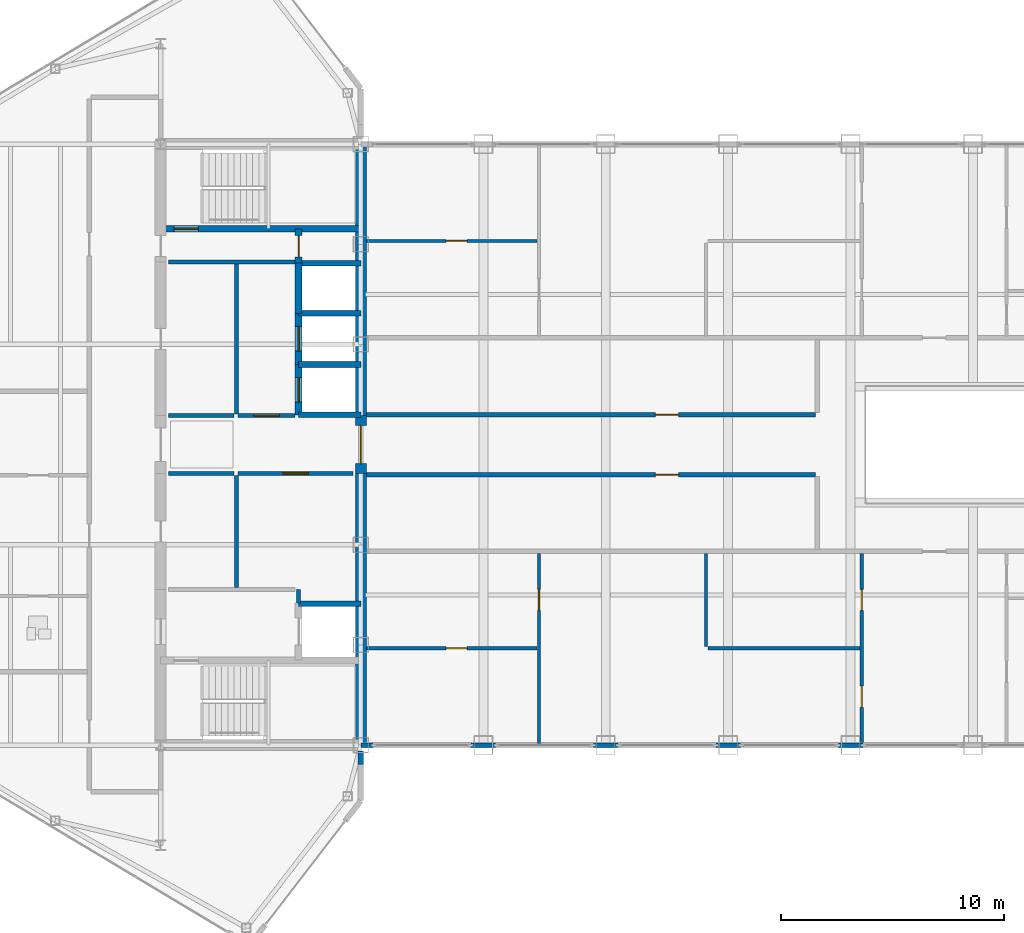
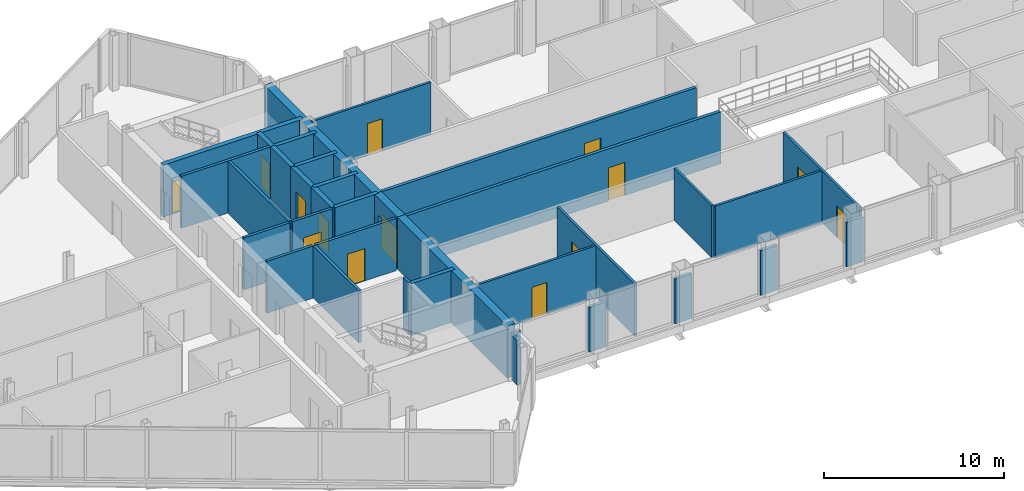
# One storey, part 22 of 29: 35 walls, 14 doors, 14 openings.
"""IFC4 building model written with IfcOpenShell, lengths in metres."""

from ifc_helpers import new_model, si_unit, direction, frame, frame_2d, origin, place, context, subcontext, project, spatial, rectangle, extrude, source, transform, mapped, material, layer, layer_set, type_object, type_shapes, element, fill, save


model = new_model("IFC4")

# Units and contexts
model_context = context("Model", 3, precision=1e-05, world=origin(), true_north=direction((0.0, 1.0)))
body_context = subcontext(model_context, "Body", "Model", "MODEL_VIEW")
ifc_project = project(units=[si_unit("LENGTHUNIT", "METRE"), si_unit("AREAUNIT", "SQUARE_METRE"), si_unit("VOLUMEUNIT", "CUBIC_METRE"), si_unit("PLANEANGLEUNIT", "RADIAN"), si_unit("MASSUNIT", "GRAM", prefix="KILO")], contexts=[model_context])

# Site, building, storey
site_placement = place(None, origin())
site = spatial("IfcSite", under=ifc_project, at=site_placement, CompositionType="ELEMENT")
building_placement = place(site_placement, origin())
building = spatial("IfcBuilding", under=site, at=building_placement, Name="Seokmaru Belvedere", CompositionType="ELEMENT")
storey_placement = place(building_placement, frame((0.0, 0.0, 250.64990234375)))
storey = spatial("IfcBuildingStorey", under=building, at=storey_placement, Name="L66", CompositionType="ELEMENT", Elevation=250.64990234375)

# Wall, opening, door
ifc_material_1 = material(Name="Fire-Rated Gypsum Shaftwall")
ifc_layer_1 = layer(ifc_material_1, 0.14990234375)
ifc_layer_set_1 = layer_set([ifc_layer_1], Name="Fire-Rated Gypsum Shaftwall")
wall_type_1 = type_object("IfcWallType", Name="Apartment Fire-Acoustic Room Partition 150", PredefinedType="PARTITIONING", material=ifc_layer_set_1)
wall_1_placement = place(storey_placement, frame((-27.2451171875, -9.14990234375, 0.0), z_axis=(0.0, 0.0, 1.0), x_axis=(1.0, 0.0, 0.0)))
wall_1 = element("IfcWall", 1, at=wall_1_placement, inside=storey, type_object=wall_type_1, Name="L66 Interior Partition 004", PredefinedType="PARTITIONING", context=body_context, shape_type="SweptSolid", body=[
    extrude(rectangle(XDim=7.66015625, YDim=0.14990234375, at=frame_2d((3.830078125, 0.0))), origin(), (0.0, 0.0, 1.0), 3.530029296875),
])
opening_1_placement = place(wall_1_placement, frame((3.570068359375, 0.0, 0.0)))
opening_1 = element("IfcOpeningElement", 2, at=opening_1_placement, cuts=wall_1, Name="Opening D05", PredefinedType="OPENING", context=body_context, shape_type="SweptSolid", body=[
    extrude(rectangle(XDim=0.949951171875, YDim=2.14990234375, at=frame_2d((0.47509765625, 1.074951171875))), frame((0.0, 0.0849609375, 0.0), z_axis=(0.0, -1.0, 0.0), x_axis=(1.0, 0.0, 0.0)), (0.0, 0.0, 1.0), 0.169921875),
])
ifc_material_2 = material(Name="Engineered White Oak Timber", Category="wood")
door_type_1 = type_object("IfcDoorType", Name="Apartment Interior Fire-Rated Oak Door 950x2150", OperationType="NOTDEFINED", PredefinedType="DOOR", material=ifc_material_2)
shared_shape_1 = source(origin(), body_context, "Body", "SweptSolid", [
    extrude(rectangle(XDim=0.949951171875, YDim=2.14990234375, at=frame_2d((0.47509765625, 1.074951171875))), frame((0.0, 0.02490234375, 0.0), z_axis=(0.0, -1.0, 0.0), x_axis=(1.0, 0.0, 0.0)), (0.0, 0.0, 1.0), 0.050048828125),
])
type_shapes(door_type_1, [shared_shape_1])
door_1_placement = place(opening_1_placement, origin())
door_1 = element("IfcDoor", 3, at=door_1_placement, inside=storey, type_object=door_type_1, Name="L66 Interior Door 036", OperationType="SINGLE_SWING_RIGHT", OverallHeight=2.14990234375, OverallWidth=0.949951171875, PredefinedType="DOOR", context=body_context, shape_type="MappedRepresentation", body=[
    mapped(shared_shape_1, transform((0.0, 0.0, 0.0), scale=1.0)),
])
fill(opening_1, door_1)

# Wall
wall_2_placement = place(storey_placement, frame((-11.9150390625, -9.14990234375, 0.0), z_axis=(0.0, 0.0, 1.0), x_axis=(1.0, 0.0, 0.0)))
element("IfcWall", 4, at=wall_2_placement, inside=storey, type_object=wall_type_1, Name="L66 Interior Partition 005", PredefinedType="PARTITIONING", context=body_context, shape_type="SweptSolid", body=[
    extrude(rectangle(XDim=6.830078125, YDim=0.14990234375, at=frame_2d((3.4150390625, 0.0))), origin(), (0.0, 0.0, 1.0), 3.530029296875),
])

# Wall, opening, door
wall_3_placement = place(storey_placement, frame((-27.2451171875, 9.14990234375, 0.0), z_axis=(0.0, 0.0, 1.0), x_axis=(1.0, 0.0, 0.0)))
wall_3 = element("IfcWall", 5, at=wall_3_placement, inside=storey, type_object=wall_type_1, Name="L66 Interior Partition 026", PredefinedType="PARTITIONING", context=body_context, shape_type="SweptSolid", body=[
    extrude(rectangle(XDim=7.66015625, YDim=0.14990234375, at=frame_2d((3.830078125, 0.0))), origin(), (0.0, 0.0, 1.0), 3.530029296875),
])
opening_2_placement = place(wall_3_placement, frame((3.570068359375, 0.0, 0.0)))
opening_2 = element("IfcOpeningElement", 6, at=opening_2_placement, cuts=wall_3, Name="Opening D05", PredefinedType="OPENING", context=body_context, shape_type="SweptSolid", body=[
    extrude(rectangle(XDim=0.949951171875, YDim=2.14990234375, at=frame_2d((0.47509765625, 1.074951171875))), frame((0.0, 0.0849609375, 0.0), z_axis=(0.0, -1.0, 0.0), x_axis=(1.0, 0.0, 0.0)), (0.0, 0.0, 1.0), 0.169921875),
])
door_2_placement = place(opening_2_placement, origin())
door_2 = element("IfcDoor", 7, at=door_2_placement, inside=storey, type_object=door_type_1, Name="L66 Interior Door 047", OperationType="SINGLE_SWING_RIGHT", OverallHeight=2.14990234375, OverallWidth=0.949951171875, PredefinedType="DOOR", context=body_context, shape_type="MappedRepresentation", body=[
    mapped(shared_shape_1, transform((0.0, 0.0, 0.0), scale=1.0)),
])
fill(opening_2, door_2)

wall_4_placement = place(storey_placement, frame((-19.5, -13.5, 0.0), z_axis=(0.0, 0.0, 1.0), x_axis=(0.0, 1.0, 0.0)))
wall_4 = element("IfcWall", 8, at=wall_4_placement, inside=storey, type_object=wall_type_1, Name="L66 Interior Partition 038", PredefinedType="PARTITIONING", context=body_context, shape_type="SweptSolid", body=[
    extrude(rectangle(XDim=8.614990234375, YDim=0.14990234375, at=frame_2d((4.3076171875, 0.0))), origin(), (0.0, 0.0, 1.0), 3.530029296875),
])
opening_3_placement = place(wall_4_placement, frame((6.050048828125, 0.0, 0.0)))
opening_3 = element("IfcOpeningElement", 9, at=opening_3_placement, cuts=wall_4, Name="Opening D05", PredefinedType="OPENING", context=body_context, shape_type="SweptSolid", body=[
    extrude(rectangle(XDim=0.949951171875, YDim=2.14990234375, at=frame_2d((0.47509765625, 1.074951171875))), frame((0.0, 0.0849609375, 0.0), z_axis=(0.0, -1.0, 0.0), x_axis=(1.0, 0.0, 0.0)), (0.0, 0.0, 1.0), 0.169921875),
])
door_3_placement = place(opening_3_placement, origin())
door_3 = element("IfcDoor", 10, at=door_3_placement, inside=storey, type_object=door_type_1, Name="L66 Interior Door 035", OperationType="SINGLE_SWING_LEFT", OverallHeight=2.14990234375, OverallWidth=0.949951171875, PredefinedType="DOOR", context=body_context, shape_type="MappedRepresentation", body=[
    mapped(shared_shape_1, transform((0.0, 0.0, 0.0), scale=1.0)),
])
fill(opening_3, door_3)

# Wall
wall_5_placement = place(storey_placement, frame((-12.0, -9.06494140625, 0.0), z_axis=(0.0, 0.0, 1.0), x_axis=(0.0, 1.0, 0.0)))
element("IfcWall", 11, at=wall_5_placement, inside=storey, type_object=wall_type_1, Name="L66 Interior Partition 040", PredefinedType="PARTITIONING", context=body_context, shape_type="SweptSolid", body=[
    extrude(rectangle(XDim=4.179931640625, YDim=0.14990234375, at=frame_2d((2.08984375, 0.0))), origin(), (0.0, 0.0, 1.0), 3.530029296875),
])

# Wall, openings, doors
wall_6_placement = place(storey_placement, frame((-5.0, -13.389892578125, 0.0), z_axis=(0.0, 0.0, 1.0), x_axis=(0.0, 1.0, 0.0)))
wall_6 = element("IfcWall", 12, at=wall_6_placement, inside=storey, type_object=wall_type_1, Name="L66 Interior Partition 044", PredefinedType="PARTITIONING", context=body_context, shape_type="SweptSolid", body=[
    extrude(rectangle(XDim=8.5048828125, YDim=0.14990234375, at=frame_2d((4.25244140625, 0.0))), origin(), (0.0, 0.0, 1.0), 3.530029296875),
])
opening_4_placement = place(wall_6_placement, frame((5.93994140625, 0.0, 0.0)))
opening_4 = element("IfcOpeningElement", 13, at=opening_4_placement, cuts=wall_6, Name="Opening D05", PredefinedType="OPENING", context=body_context, shape_type="SweptSolid", body=[
    extrude(rectangle(XDim=0.949951171875, YDim=2.14990234375, at=frame_2d((0.47509765625, 1.074951171875))), frame((0.0, 0.0849609375, 0.0), z_axis=(0.0, -1.0, 0.0), x_axis=(1.0, 0.0, 0.0)), (0.0, 0.0, 1.0), 0.169921875),
])
opening_5_placement = place(wall_6_placement, frame((1.590087890625, 0.0, 0.0)))
opening_5 = element("IfcOpeningElement", 14, at=opening_5_placement, cuts=wall_6, Name="Opening D05", PredefinedType="OPENING", context=body_context, shape_type="SweptSolid", body=[
    extrude(rectangle(XDim=0.949951171875, YDim=2.14990234375, at=frame_2d((0.47509765625, 1.074951171875))), frame((0.0, 0.0849609375, 0.0), z_axis=(0.0, -1.0, 0.0), x_axis=(1.0, 0.0, 0.0)), (0.0, 0.0, 1.0), 0.169921875),
])
door_4_placement = place(opening_4_placement, origin())
door_4 = element("IfcDoor", 15, at=door_4_placement, inside=storey, type_object=door_type_1, Name="L66 Interior Door 033", OperationType="SINGLE_SWING_LEFT", OverallHeight=2.14990234375, OverallWidth=0.949951171875, PredefinedType="DOOR", context=body_context, shape_type="MappedRepresentation", body=[
    mapped(shared_shape_1, transform((0.0, 0.0, 0.0), scale=1.0)),
])
fill(opening_4, door_4)
door_5_placement = place(opening_5_placement, origin())
door_5 = element("IfcDoor", 16, at=door_5_placement, inside=storey, type_object=door_type_1, Name="L66 Interior Door 034", OperationType="SINGLE_SWING_RIGHT", OverallHeight=2.14990234375, OverallWidth=0.949951171875, PredefinedType="DOOR", context=body_context, shape_type="MappedRepresentation", body=[
    mapped(shared_shape_1, transform((0.0, 0.0, 0.0), scale=1.0)),
])
fill(opening_5, door_5)

# Walls
ifc_material_3 = material(Name="Anodised Bronze Aluminium", Category="aluminium")
ifc_layer_2 = layer(ifc_material_3, 0.2099609375)
ifc_layer_set_2 = layer_set([ifc_layer_2], Name="Anodised Bronze Aluminium")
wall_type_2 = type_object("IfcWallType", Name="Bridge Column Spandrel Closure Pier 210", PredefinedType="SOLIDWALL", material=ifc_layer_set_2)
wall_7_placement = place(storey_placement, frame((-27.489990234375, -13.5, 0.0), z_axis=(0.0, 0.0, 1.0), x_axis=(1.0, 0.0, 0.0)))
element("IfcWall", 17, at=wall_7_placement, inside=storey, type_object=wall_type_2, Name="L66 Bridge South Column Closure Pier 01", PredefinedType="SOLIDWALL", context=body_context, shape_type="SweptSolid", body=[
    extrude(rectangle(XDim=0.5400390625, YDim=0.2099609375, at=frame_2d((0.27001953125, 0.0))), origin(), (0.0, 0.0, 1.0), 3.030029296875),
])
for number, where, z_axis, x_axis, name in (
    (18, (-22.550048828125, -13.5, 0.0), (0.0, 0.0, 1.0), (1.0, 0.0, 0.0), "L66 Bridge South Column Closure Pier 02"),
    (19, (-17.050048828125, -13.5, 0.0), (0.0, 0.0, 1.0), (1.0, 0.0, 0.0), "L66 Bridge South Column Closure Pier 03"),
    (20, (-11.550048828125, -13.5, 0.0), (0.0, 0.0, 1.0), (1.0, 0.0, 0.0), "L66 Bridge South Column Closure Pier 04"),
    (21, (-6.050048828125, -13.5, 0.0), (0.0, 0.0, 1.0), (1.0, 0.0, 0.0), "L66 Bridge South Column Closure Pier 05"),
):
    element("IfcWall", number, at=place(storey_placement, frame(where, z_axis=z_axis, x_axis=x_axis)), inside=storey, type_object=wall_type_2, Name=name, PredefinedType="SOLIDWALL", context=body_context, shape_type="SweptSolid", body=[
        extrude(rectangle(XDim=1.10009765625, YDim=0.2099609375, at=frame_2d((0.550048828125, 0.0))), origin(), (0.0, 0.0, 1.0), 3.030029296875),
    ])
ifc_layer_3 = layer(ifc_material_1, 0.179931640625)
ifc_layer_set_3 = layer_set([ifc_layer_3], Name="Fire-Rated Gypsum Shaftwall")
wall_type_3 = type_object("IfcWallType", Name="Core Service Fire Partition 180", PredefinedType="PARTITIONING", material=ifc_layer_set_3)
wall_8_placement = place(storey_placement, frame((-30.300048828125, -7.1201171875, 0.0), z_axis=(0.0, 0.0, 1.0), x_axis=(0.0, 1.0, 0.0)))
element("IfcWall", 22, at=wall_8_placement, inside=storey, type_object=wall_type_3, Name="L66 West Firefighting Lobby East Closure Wall", PredefinedType="PARTITIONING", context=body_context, shape_type="SweptSolid", body=[
    extrude(rectangle(XDim=0.6201171875, YDim=0.179931640625, at=frame_2d((0.31005859375, 0.0))), origin(), (0.0, 0.0, 1.0), 3.530029296875),
])
wall_9_placement = place(storey_placement, frame((-36.14990234375, 8.199951171875, 0.0), z_axis=(0.0, 0.0, 1.0), x_axis=(1.0, 0.0, 0.0)))
element("IfcWall", 23, at=wall_9_placement, inside=storey, type_object=wall_type_3, Name="L66 West Smokeproof Vestibule Partition", PredefinedType="PARTITIONING", context=body_context, shape_type="SweptSolid", body=[
    extrude(rectangle(XDim=5.699951171875, YDim=0.179931640625, at=frame_2d((2.85009765625, 0.0))), origin(), (0.0, 0.0, 1.0), 3.530029296875),
])
wall_10_placement = place(storey_placement, frame((-33.10009765625, -6.419921875, 0.0), z_axis=(0.0, 0.0, 1.0), x_axis=(0.0, 1.0, 0.0)))
element("IfcWall", 24, at=wall_10_placement, inside=storey, type_object=wall_type_3, Name="L66 West South Core Service Back Wall", PredefinedType="PARTITIONING", context=body_context, shape_type="SweptSolid", body=[
    extrude(rectangle(XDim=5.0400390625, YDim=0.179931640625, at=frame_2d((2.52001953125, 0.0))), origin(), (0.0, 0.0, 1.0), 3.530029296875),
])
wall_11_placement = place(storey_placement, frame((-33.10009765625, 1.3798828125, 0.0), z_axis=(0.0, 0.0, 1.0), x_axis=(0.0, 1.0, 0.0)))
element("IfcWall", 25, at=wall_11_placement, inside=storey, type_object=wall_type_3, Name="L66 West North Core Service Back Wall", PredefinedType="PARTITIONING", context=body_context, shape_type="SweptSolid", body=[
    extrude(rectangle(XDim=6.740234375, YDim=0.179931640625, at=frame_2d((3.3701171875, 0.0))), origin(), (0.0, 0.0, 1.0), 3.530029296875),
])

# Wall, opening, door
wall_12_placement = place(storey_placement, frame((-33.02001953125, -1.300048828125, 0.0), z_axis=(0.0, 0.0, 1.0), x_axis=(1.0, 0.0, 0.0)))
wall_12 = element("IfcWall", 26, at=wall_12_placement, inside=storey, type_object=wall_type_3, Name="L66 West South Lift Lobby Foyer Wall", PredefinedType="PARTITIONING", context=body_context, shape_type="SweptSolid", body=[
    extrude(rectangle(XDim=5.169921875, YDim=0.179931640625, at=frame_2d((2.5849609375, 0.0))), origin(), (0.0, 0.0, 1.0), 3.530029296875),
])
opening_6_placement = place(wall_12_placement, frame((2.010009765625, 0.0, 0.0)))
opening_6 = element("IfcOpeningElement", 27, at=opening_6_placement, cuts=wall_12, Name="Opening D02", PredefinedType="OPENING", context=body_context, shape_type="SweptSolid", body=[
    extrude(rectangle(XDim=1.14990234375, YDim=2.199951171875, at=frame_2d((0.574951171875, 1.10009765625))), frame((0.0, 0.10009765625, 0.0), z_axis=(0.0, -1.0, 0.0), x_axis=(1.0, 0.0, 0.0)), (0.0, 0.0, 1.0), 0.199951171875),
])
ifc_material_4 = material(Name="Fire-Rated Steel Leaf", Category="steel")
door_type_2 = type_object("IfcDoorType", Name="Lobby and Vestibule Fire Door 1150x2200", OperationType="NOTDEFINED", PredefinedType="DOOR", material=ifc_material_4)
shared_shape_2 = source(origin(), body_context, "Body", "SweptSolid", [
    extrude(rectangle(XDim=1.14990234375, YDim=2.199951171875, at=frame_2d((0.574951171875, 1.10009765625))), frame((0.0, 0.02490234375, 0.0), z_axis=(0.0, -1.0, 0.0), x_axis=(1.0, 0.0, 0.0)), (0.0, 0.0, 1.0), 0.050048828125),
])
type_shapes(door_type_2, [shared_shape_2])
door_6_placement = place(opening_6_placement, origin())
door_6 = element("IfcDoor", 28, at=door_6_placement, inside=storey, type_object=door_type_2, Name="L66 West South Core Foyer Door", OperationType="SINGLE_SWING_LEFT", OverallHeight=2.199951171875, OverallWidth=1.14990234375, PredefinedType="DOOR", context=body_context, shape_type="MappedRepresentation", body=[
    mapped(shared_shape_2, transform((0.0, 0.0, 0.0), scale=1.0)),
])
fill(opening_6, door_6)

wall_13_placement = place(storey_placement, frame((-33.02001953125, 1.300048828125, 0.0), z_axis=(0.0, 0.0, 1.0), x_axis=(1.0, 0.0, 0.0)))
wall_13 = element("IfcWall", 29, at=wall_13_placement, inside=storey, type_object=wall_type_3, Name="L66 West North Lift Lobby Foyer Wall", PredefinedType="PARTITIONING", context=body_context, shape_type="SweptSolid", body=[
    extrude(rectangle(XDim=2.570068359375, YDim=0.179931640625, at=frame_2d((1.28515625, 0.0))), origin(), (0.0, 0.0, 1.0), 3.530029296875),
])
opening_7_placement = place(wall_13_placement, frame((0.7099609375, 0.0, 0.0)))
opening_7 = element("IfcOpeningElement", 30, at=opening_7_placement, cuts=wall_13, Name="Opening D02", PredefinedType="OPENING", context=body_context, shape_type="SweptSolid", body=[
    extrude(rectangle(XDim=1.14990234375, YDim=2.199951171875, at=frame_2d((0.574951171875, 1.10009765625))), frame((0.0, 0.10009765625, 0.0), z_axis=(0.0, -1.0, 0.0), x_axis=(1.0, 0.0, 0.0)), (0.0, 0.0, 1.0), 0.199951171875),
])
door_7_placement = place(opening_7_placement, origin())
door_7 = element("IfcDoor", 31, at=door_7_placement, inside=storey, type_object=door_type_2, Name="L66 West North Lift Lobby Door", OperationType="SINGLE_SWING_RIGHT", OverallHeight=2.199951171875, OverallWidth=1.14990234375, PredefinedType="DOOR", context=body_context, shape_type="MappedRepresentation", body=[
    mapped(shared_shape_2, transform((0.0, 0.0, 0.0), scale=1.0)),
])
fill(opening_7, door_7)

# Walls
for number, where, z_axis, x_axis, name in (
    (32, (-36.14990234375, -1.300048828125, 0.0), (0.0, 0.0, 1.0), (1.0, 0.0, 0.0), "L66 West Foyer Side Wall S"),
    (33, (-36.14990234375, 1.300048828125, 0.0), (0.0, 0.0, 1.0), (1.0, 0.0, 0.0), "L66 West Foyer Side Wall N"),
):
    element("IfcWall", number, at=place(storey_placement, frame(where, z_axis=z_axis, x_axis=x_axis)), inside=storey, type_object=wall_type_3, Name=name, PredefinedType="PARTITIONING", context=body_context, shape_type="SweptSolid", body=[
        extrude(rectangle(XDim=2.949951171875, YDim=0.179931640625, at=frame_2d((1.47509765625, 0.0))), origin(), (0.0, 0.0, 1.0), 3.530029296875),
    ])
ifc_material_5 = material(Name="Concrete C50 (50 MPa)", Category="concrete")
ifc_layer_4 = layer(ifc_material_5, 0.25)
ifc_layer_set_4 = layer_set([ifc_layer_4], Name="Concrete C50 (50 MPa)")
wall_type_4 = type_object("IfcWallType", Name="Hoistway Transverse Concrete Divider Wall 250", PredefinedType="SHEAR", material=ifc_layer_set_4)
for number, where, z_axis, x_axis, name in (
    (34, (-30.300048828125, -7.14990234375, 0.0), (0.0, 0.0, 1.0), (1.0, 0.0, 0.0), "L66 West Hoistway Divider Core Wall 1"),
    (35, (-30.300048828125, 1.35009765625, 0.0), (0.0, 0.0, 1.0), (1.0, 0.0, 0.0), "L66 West Hoistway Divider Core Wall 2"),
    (36, (-30.300048828125, 3.60009765625, 0.0), (0.0, 0.0, 1.0), (1.0, 0.0, 0.0), "L66 West Hoistway Divider Core Wall 3"),
    (37, (-30.300048828125, 5.89990234375, 0.0), (0.0, 0.0, 1.0), (1.0, 0.0, 0.0), "L66 West Hoistway Divider Core Wall 4"),
    (38, (-30.300048828125, 8.14990234375, 0.0), (0.0, 0.0, 1.0), (1.0, 0.0, 0.0), "L66 West Hoistway Divider Core Wall 5"),
):
    element("IfcWall", number, at=place(storey_placement, frame(where, z_axis=z_axis, x_axis=x_axis)), inside=storey, type_object=wall_type_4, Name=name, PredefinedType="SHEAR", context=body_context, shape_type="SweptSolid", body=[
        extrude(rectangle(XDim=2.800048828125, YDim=0.25, at=frame_2d((1.39990234375, 0.0))), origin(), (0.0, 0.0, 1.0), 3.530029296875),
    ])

# Wall, opening, door
ifc_layer_5 = layer(ifc_material_1, 0.199951171875)
ifc_layer_set_5 = layer_set([ifc_layer_5], Name="Fire-Rated Gypsum Shaftwall")
wall_type_5 = type_object("IfcWallType", Name="Inter-Tenancy Fire Compartment Partition 200", PredefinedType="PARTITIONING", material=ifc_layer_set_5)
wall_14_placement = place(storey_placement, frame((-27.2451171875, -1.35009765625, 0.0), z_axis=(0.0, 0.0, 1.0), x_axis=(1.0, 0.0, 0.0)))
wall_14 = element("IfcWall", 39, at=wall_14_placement, inside=storey, type_object=wall_type_5, Name="L66 Interior Partition 016", PredefinedType="PARTITIONING", context=body_context, shape_type="SweptSolid", body=[
    extrude(rectangle(XDim=20.16015625, YDim=0.199951171875, at=frame_2d((10.080078125, 0.0))), origin(), (0.0, 0.0, 1.0), 3.530029296875),
])
opening_8_placement = place(wall_14_placement, frame((12.969970703125, 0.0, 0.0)))
opening_8 = element("IfcOpeningElement", 40, at=opening_8_placement, cuts=wall_14, Name="Opening D03", PredefinedType="OPENING", context=body_context, shape_type="SweptSolid", body=[
    extrude(rectangle(XDim=1.050048828125, YDim=2.25, at=frame_2d((0.52490234375, 1.125))), frame((0.0, 0.10986328125, 0.0), z_axis=(0.0, -1.0, 0.0), x_axis=(1.0, 0.0, 0.0)), (0.0, 0.0, 1.0), 0.219970703125),
])
door_type_3 = type_object("IfcDoorType", Name="Apartment Entrance Fire Door 1050x2250", OperationType="NOTDEFINED", PredefinedType="DOOR", material=ifc_material_4)
shared_shape_3 = source(origin(), body_context, "Body", "SweptSolid", [
    extrude(rectangle(XDim=1.050048828125, YDim=2.25, at=frame_2d((0.52490234375, 1.125))), frame((0.0, 0.02490234375, 0.0), z_axis=(0.0, -1.0, 0.0), x_axis=(1.0, 0.0, 0.0)), (0.0, 0.0, 1.0), 0.050048828125),
])
type_shapes(door_type_3, [shared_shape_3])
door_8_placement = place(opening_8_placement, origin())
door_8 = element("IfcDoor", 41, at=door_8_placement, inside=storey, type_object=door_type_3, Name="L66 Interior Door 026", OperationType="SINGLE_SWING_LEFT", OverallHeight=2.25, OverallWidth=1.050048828125, PredefinedType="DOOR", context=body_context, shape_type="MappedRepresentation", body=[
    mapped(shared_shape_3, transform((0.0, 0.0, 0.0), scale=1.0)),
])
fill(opening_8, door_8)

wall_15_placement = place(storey_placement, frame((-27.2451171875, 1.35009765625, 0.0), z_axis=(0.0, 0.0, 1.0), x_axis=(1.0, 0.0, 0.0)))
wall_15 = element("IfcWall", 42, at=wall_15_placement, inside=storey, type_object=wall_type_5, Name="L66 Interior Partition 020", PredefinedType="PARTITIONING", context=body_context, shape_type="SweptSolid", body=[
    extrude(rectangle(XDim=20.16015625, YDim=0.199951171875, at=frame_2d((10.080078125, 0.0))), origin(), (0.0, 0.0, 1.0), 3.530029296875),
])
opening_9_placement = place(wall_15_placement, frame((12.969970703125, 0.0, 0.0)))
opening_9 = element("IfcOpeningElement", 43, at=opening_9_placement, cuts=wall_15, Name="Opening D03", PredefinedType="OPENING", context=body_context, shape_type="SweptSolid", body=[
    extrude(rectangle(XDim=1.050048828125, YDim=2.25, at=frame_2d((0.52490234375, 1.125))), frame((0.0, 0.10986328125, 0.0), z_axis=(0.0, -1.0, 0.0), x_axis=(1.0, 0.0, 0.0)), (0.0, 0.0, 1.0), 0.219970703125),
])
door_9_placement = place(opening_9_placement, origin())
door_9 = element("IfcDoor", 44, at=door_9_placement, inside=storey, type_object=door_type_3, Name="L66 Interior Door 028", OperationType="SINGLE_SWING_RIGHT", OverallHeight=2.25, OverallWidth=1.050048828125, PredefinedType="DOOR", context=body_context, shape_type="MappedRepresentation", body=[
    mapped(shared_shape_3, transform((0.0, 0.0, 0.0), scale=1.0)),
])
fill(opening_9, door_9)

ifc_layer_6 = layer(ifc_material_5, 0.300048828125)
ifc_layer_set_6 = layer_set([ifc_layer_6], Name="Concrete C50 (50 MPa)")
wall_type_6 = type_object("IfcWallType", Name="Internal Core Stair and Hoistway Wall 300", PredefinedType="SHEAR", material=ifc_layer_set_6)
wall_16_placement = place(storey_placement, frame((-36.5, 9.699951171875, 0.0), z_axis=(0.0, 0.0, 1.0), x_axis=(1.0, 0.0, 0.0)))
wall_16 = element("IfcWall", 45, at=wall_16_placement, inside=storey, type_object=wall_type_6, Name="L66 West Stair ST-2 Enclosure Wall", PredefinedType="SHEAR", context=body_context, shape_type="SweptSolid", body=[
    extrude(rectangle(XDim=9.0, YDim=0.300048828125, at=frame_2d((4.5, 0.0))), origin(), (0.0, 0.0, 1.0), 3.530029296875),
])
opening_10_placement = place(wall_16_placement, frame((0.60009765625, 0.0, 0.0)))
opening_10 = element("IfcOpeningElement", 46, at=opening_10_placement, cuts=wall_16, Name="Opening D01", PredefinedType="OPENING", context=body_context, shape_type="SweptSolid", body=[
    extrude(rectangle(XDim=1.10009765625, YDim=2.199951171875, at=frame_2d((0.550048828125, 1.10009765625))), frame((0.0, 0.16015625, 0.0), z_axis=(0.0, -1.0, 0.0), x_axis=(1.0, 0.0, 0.0)), (0.0, 0.0, 1.0), 0.320068359375),
])
door_type_4 = type_object("IfcDoorType", Name="Special Escape Stair Smokeproof Fire Door 1100x2200", OperationType="NOTDEFINED", PredefinedType="DOOR", material=ifc_material_4)
shared_shape_4 = source(origin(), body_context, "Body", "SweptSolid", [
    extrude(rectangle(XDim=1.10009765625, YDim=2.199951171875, at=frame_2d((0.550048828125, 1.10009765625))), frame((0.0, 0.02490234375, 0.0), z_axis=(0.0, -1.0, 0.0), x_axis=(1.0, 0.0, 0.0)), (0.0, 0.0, 1.0), 0.050048828125),
])
type_shapes(door_type_4, [shared_shape_4])
door_10_placement = place(opening_10_placement, origin())
door_10 = element("IfcDoor", 47, at=door_10_placement, inside=storey, type_object=door_type_4, Name="L66 West Special Escape Stair ST-2 Door", OperationType="SINGLE_SWING_RIGHT", OverallHeight=2.199951171875, OverallWidth=1.10009765625, PredefinedType="DOOR", context=body_context, shape_type="MappedRepresentation", body=[
    mapped(shared_shape_4, transform((0.0, 0.0, 0.0), scale=1.0)),
])
fill(opening_10, door_10)

wall_17_placement = place(storey_placement, frame((-30.300048828125, 1.320068359375, 0.0), z_axis=(0.0, 0.0, 1.0), x_axis=(0.0, 1.0, 0.0)))
wall_17 = element("IfcWall", 48, at=wall_17_placement, inside=storey, type_object=wall_type_6, Name="L66 West North Hoistway Wall PH1", PredefinedType="SHEAR", context=body_context, shape_type="SweptSolid", body=[
    extrude(rectangle(XDim=2.280029296875, YDim=0.300048828125, at=frame_2d((1.14013671875, 0.0))), origin(), (0.0, 0.0, 1.0), 3.530029296875),
])
opening_11_placement = place(wall_17_placement, frame((0.590087890625, 0.0, 0.0)))
opening_11 = element("IfcOpeningElement", 49, at=opening_11_placement, cuts=wall_17, Name="Opening LD1", PredefinedType="OPENING", context=body_context, shape_type="SweptSolid", body=[
    extrude(rectangle(XDim=1.10009765625, YDim=2.199951171875, at=frame_2d((0.550048828125, 1.10009765625))), frame((0.0, 0.16015625, 0.0), z_axis=(0.0, -1.0, 0.0), x_axis=(1.0, 0.0, 0.0)), (0.0, 0.0, 1.0), 0.320068359375),
])
ifc_material_6 = material(Name="Stainless Steel 316", Category="steel")
door_type_5 = type_object("IfcDoorType", Name="Passenger Lift Sliding Landing Door 1100x2200", OperationType="DOUBLE_DOOR_SLIDING", PredefinedType="DOOR", material=ifc_material_6)
shared_shape_5 = source(origin(), body_context, "Body", "SweptSolid", [
    extrude(rectangle(XDim=1.10009765625, YDim=2.199951171875, at=frame_2d((0.550048828125, 1.10009765625))), frame((0.0, 0.02490234375, 0.0), z_axis=(0.0, -1.0, 0.0), x_axis=(1.0, 0.0, 0.0)), (0.0, 0.0, 1.0), 0.050048828125),
])
type_shapes(door_type_5, [shared_shape_5])
door_11_placement = place(opening_11_placement, origin())
door_11 = element("IfcDoor", 50, at=door_11_placement, inside=storey, type_object=door_type_5, Name="L66 West High-Rise Lift PH-1 Landing Door", OperationType="DOUBLE_DOOR_SLIDING", OverallHeight=2.199951171875, OverallWidth=1.10009765625, PredefinedType="DOOR", context=body_context, shape_type="MappedRepresentation", body=[
    mapped(shared_shape_5, transform((0.0, 0.0, 0.0), scale=1.0)),
])
fill(opening_11, door_11)

wall_18_placement = place(storey_placement, frame((-30.300048828125, 3.60009765625, 0.0), z_axis=(0.0, 0.0, 1.0), x_axis=(0.0, 1.0, 0.0)))
wall_18 = element("IfcWall", 51, at=wall_18_placement, inside=storey, type_object=wall_type_6, Name="L66 West North Hoistway Wall PH2", PredefinedType="SHEAR", context=body_context, shape_type="SweptSolid", body=[
    extrude(rectangle(XDim=2.2998046875, YDim=0.300048828125, at=frame_2d((1.14990234375, 0.0))), origin(), (0.0, 0.0, 1.0), 3.530029296875),
])
opening_12_placement = place(wall_18_placement, frame((0.60009765625, 0.0, 0.0)))
opening_12 = element("IfcOpeningElement", 52, at=opening_12_placement, cuts=wall_18, Name="Opening LD1", PredefinedType="OPENING", context=body_context, shape_type="SweptSolid", body=[
    extrude(rectangle(XDim=1.10009765625, YDim=2.199951171875, at=frame_2d((0.550048828125, 1.10009765625))), frame((0.0, 0.16015625, 0.0), z_axis=(0.0, -1.0, 0.0), x_axis=(1.0, 0.0, 0.0)), (0.0, 0.0, 1.0), 0.320068359375),
])
door_12_placement = place(opening_12_placement, origin())
door_12 = element("IfcDoor", 53, at=door_12_placement, inside=storey, type_object=door_type_5, Name="L66 West High-Rise Lift PH-2 Landing Door", OperationType="DOUBLE_DOOR_SLIDING", OverallHeight=2.199951171875, OverallWidth=1.10009765625, PredefinedType="DOOR", context=body_context, shape_type="MappedRepresentation", body=[
    mapped(shared_shape_5, transform((0.0, 0.0, 0.0), scale=1.0)),
])
fill(opening_12, door_12)

# Wall
wall_19_placement = place(storey_placement, frame((-30.300048828125, 5.89990234375, 0.0), z_axis=(0.0, 0.0, 1.0), x_axis=(0.0, 1.0, 0.0)))
element("IfcWall", 54, at=wall_19_placement, inside=storey, type_object=wall_type_6, Name="L66 West North Hoistway Wall OBS", PredefinedType="SHEAR", context=body_context, shape_type="SweptSolid", body=[
    extrude(rectangle(XDim=2.25, YDim=0.300048828125, at=frame_2d((1.125, 0.0))), origin(), (0.0, 0.0, 1.0), 3.530029296875),
])

# Wall, opening, door
wall_20_placement = place(storey_placement, frame((-30.300048828125, 8.14990234375, 0.0), z_axis=(0.0, 0.0, 1.0), x_axis=(0.0, 1.0, 0.0)))
wall_20 = element("IfcWall", 55, at=wall_20_placement, inside=storey, type_object=wall_type_6, Name="L66 West Electrical Riser Front Wall", PredefinedType="SHEAR", context=body_context, shape_type="SweptSolid", body=[
    extrude(rectangle(XDim=1.530029296875, YDim=0.300048828125, at=frame_2d((0.76513671875, 0.0))), origin(), (0.0, 0.0, 1.0), 3.530029296875),
])
opening_13_placement = place(wall_20_placement, frame((0.284912109375, 0.0, 0.0)))
opening_13 = element("IfcOpeningElement", 56, at=opening_13_placement, cuts=wall_20, Name="Opening D04", PredefinedType="OPENING", context=body_context, shape_type="SweptSolid", body=[
    extrude(rectangle(XDim=0.949951171875, YDim=2.14990234375, at=frame_2d((0.47509765625, 1.074951171875))), frame((0.0, 0.16015625, 0.0), z_axis=(0.0, -1.0, 0.0), x_axis=(1.0, 0.0, 0.0)), (0.0, 0.0, 1.0), 0.320068359375),
])
door_type_6 = type_object("IfcDoorType", Name="Core Service Room Fire Door 950x2150", OperationType="NOTDEFINED", PredefinedType="DOOR", material=ifc_material_4)
shared_shape_6 = source(origin(), body_context, "Body", "SweptSolid", [
    extrude(rectangle(XDim=0.949951171875, YDim=2.14990234375, at=frame_2d((0.47509765625, 1.074951171875))), frame((0.0, 0.02490234375, 0.0), z_axis=(0.0, -1.0, 0.0), x_axis=(1.0, 0.0, 0.0)), (0.0, 0.0, 1.0), 0.050048828125),
])
type_shapes(door_type_6, [shared_shape_6])
door_13_placement = place(opening_13_placement, origin())
door_13 = element("IfcDoor", 57, at=door_13_placement, inside=storey, type_object=door_type_6, Name="L66 West Electrical Riser Access Door", OperationType="SINGLE_SWING_LEFT", OverallHeight=2.14990234375, OverallWidth=0.949951171875, PredefinedType="DOOR", context=body_context, shape_type="MappedRepresentation", body=[
    mapped(shared_shape_6, transform((0.0, 0.0, 0.0), scale=1.0)),
])
fill(opening_13, door_13)

# Walls
ifc_layer_7 = layer(ifc_material_3, 0.239990234375)
ifc_layer_set_7 = layer_set([ifc_layer_7], Name="Anodised Bronze Aluminium")
wall_type_7 = type_object("IfcWallType", Name="Tower Corner Spandrel Closure Wall 240", PredefinedType="SOLIDWALL", material=ifc_layer_set_7)
wall_21_placement = place(storey_placement, frame((-27.5, -14.374755859375, 0.0), z_axis=(0.0, 0.0, 1.0), x_axis=(0.0, 1.0, 0.0)))
element("IfcWall", 58, at=wall_21_placement, inside=storey, type_object=wall_type_7, Name="L66 W Shoulder Closure Wall 1 Part 2", PredefinedType="SOLIDWALL", context=body_context, shape_type="SweptSolid", body=[
    extrude(rectangle(XDim=0.619873046875, YDim=0.239990234375, at=frame_2d((0.31005859375, 0.0))), origin(), (0.0, 0.0, 1.0), 3.030029296875),
])
ifc_layer_8 = layer(ifc_material_5, 0.5)
ifc_layer_set_8 = layer_set([ifc_layer_8], Name="Concrete C50 (50 MPa)")
wall_type_8 = type_object("IfcWallType", Name="Upper Tower Reinforced Concrete Core Wall 500", PredefinedType="SHEAR", material=ifc_layer_set_8)
for number, where, z_axis, x_axis, name in (
    (59, (-27.5, -13.5, 0.0), (0.0, 0.0, 1.0), (0.0, 1.0, 0.0), "L66 West Portal Spine Core Wall South"),
    (60, (-27.5, 1.300048828125, 0.0), (0.0, 0.0, 1.0), (0.0, 1.0, 0.0), "L66 West Portal Spine Core Wall North"),
):
    element("IfcWall", number, at=place(storey_placement, frame(where, z_axis=z_axis, x_axis=x_axis)), inside=storey, type_object=wall_type_8, Name=name, PredefinedType="SHEAR", context=body_context, shape_type="SweptSolid", body=[
        extrude(rectangle(XDim=12.199951171875, YDim=0.5, at=frame_2d((6.10009765625, 0.0))), origin(), (0.0, 0.0, 1.0), 3.530029296875),
    ])

# Wall, opening, door
wall_22_placement = place(storey_placement, frame((-27.5, -1.300048828125, 0.0), z_axis=(0.0, 0.0, 1.0), x_axis=(0.0, 1.0, 0.0)))
wall_22 = element("IfcWall", 61, at=wall_22_placement, inside=storey, type_object=wall_type_8, Name="L66 West Portal Spine Core Wall Center", PredefinedType="SHEAR", context=body_context, shape_type="SweptSolid", body=[
    extrude(rectangle(XDim=2.60009765625, YDim=0.5, at=frame_2d((1.300048828125, 0.0))), origin(), (0.0, 0.0, 1.0), 3.530029296875),
])
opening_14_placement = place(wall_22_placement, frame((0.449951171875, 0.0, 0.0)))
opening_14 = element("IfcOpeningElement", 62, at=opening_14_placement, cuts=wall_22, Name="Opening D09", PredefinedType="OPENING", context=body_context, shape_type="SweptSolid", body=[
    extrude(rectangle(XDim=1.699951171875, YDim=2.35009765625, at=frame_2d((0.85009765625, 1.175048828125))), frame((0.0, 0.260009765625, 0.0), z_axis=(0.0, -1.0, 0.0), x_axis=(1.0, 0.0, 0.0)), (0.0, 0.0, 1.0), 0.52001953125),
])
door_type_7 = type_object("IfcDoorType", Name="Sky-Gate Bridge Inter-Tower Fire Door 1700x2350", OperationType="DOUBLE_SWING_LEFT", PredefinedType="DOOR", material=ifc_material_4)
shared_shape_7 = source(origin(), body_context, "Body", "SweptSolid", [
    extrude(rectangle(XDim=1.699951171875, YDim=2.35009765625, at=frame_2d((0.85009765625, 1.175048828125))), frame((0.0, 0.02490234375, 0.0), z_axis=(0.0, -1.0, 0.0), x_axis=(1.0, 0.0, 0.0)), (0.0, 0.0, 1.0), 0.050048828125),
])
type_shapes(door_type_7, [shared_shape_7])
door_14_placement = place(opening_14_placement, origin())
door_14 = element("IfcDoor", 63, at=door_14_placement, inside=storey, type_object=door_type_7, Name="L66 West Inter-Tower Fire Door", OperationType="DOUBLE_SWING_LEFT", OverallHeight=2.35009765625, OverallWidth=1.699951171875, PredefinedType="DOOR", context=body_context, shape_type="MappedRepresentation", body=[
    mapped(shared_shape_7, transform((0.0, 0.0, 0.0), scale=1.0)),
])
fill(opening_14, door_14)

save(model, "model.ifc")
